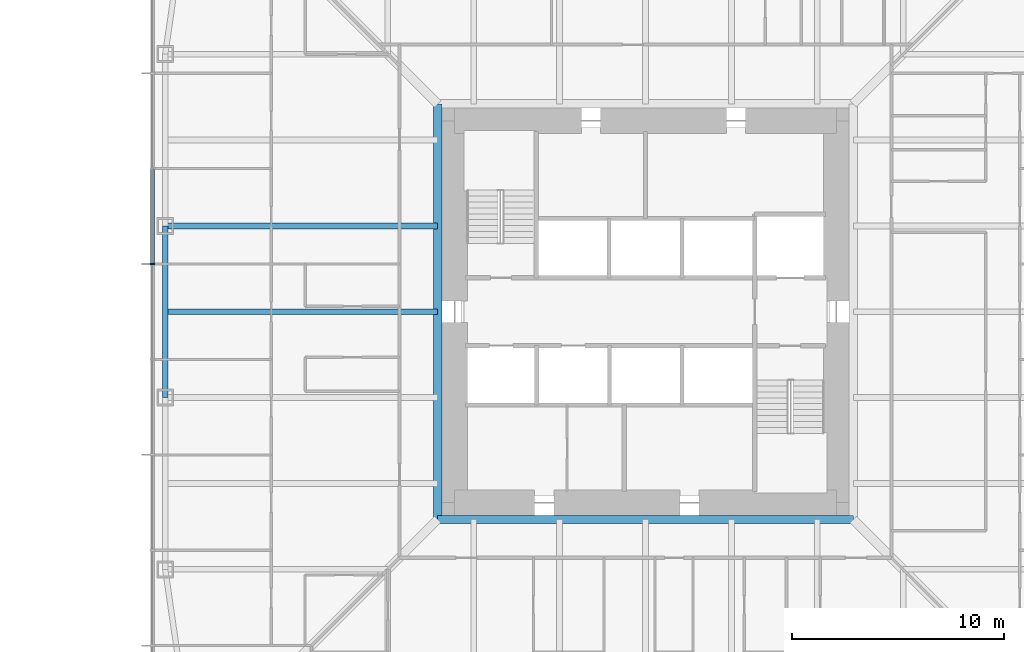
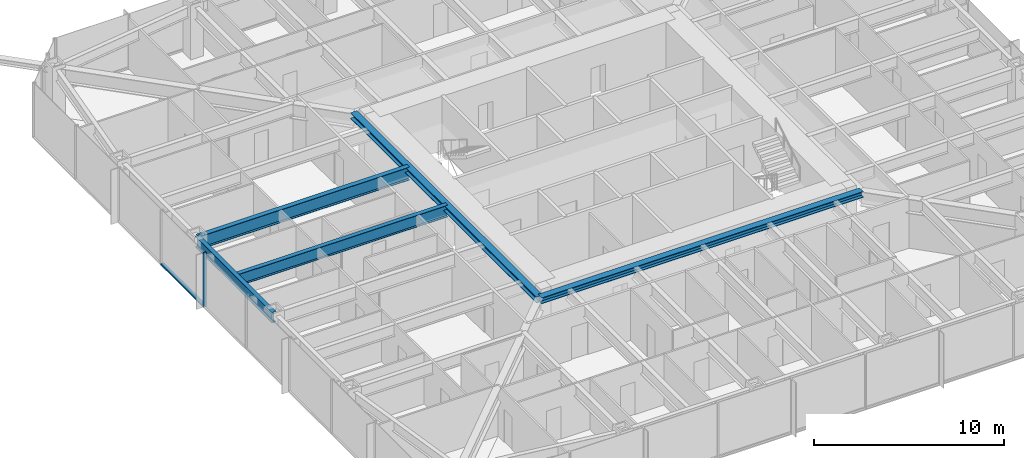
# One storey, part 4 of 26: 5 beams, 2 members, 1 element without a shape of its own.
"""IFC4 building model written with IfcOpenShell, lengths in metres."""

from ifc_helpers import new_model, si_unit, direction, frame, origin, origin_2d, place, context, subcontext, project, spatial, rectangle, i_section, extrude, material, material_profile, profile_set, type_object, element, aggregate, save


model = new_model("IFC4")

# Units and contexts
model_context = context("Model", 3, precision=1e-05, world=origin(), true_north=direction((0.0, 1.0)))
body_context = subcontext(model_context, "Body", "Model", "MODEL_VIEW")
ifc_project = project(units=[si_unit("LENGTHUNIT", "METRE"), si_unit("AREAUNIT", "SQUARE_METRE"), si_unit("VOLUMEUNIT", "CUBIC_METRE"), si_unit("PLANEANGLEUNIT", "RADIAN"), si_unit("MASSUNIT", "GRAM", prefix="KILO")], contexts=[model_context])

# Site, building, storey
site_placement = place(None, origin())
site = spatial("IfcSite", under=ifc_project, at=site_placement, CompositionType="ELEMENT")
building_placement = place(site_placement, origin())
building = spatial("IfcBuilding", under=site, at=building_placement, Name="Iwan Alto Co-Living Towers", CompositionType="ELEMENT")
storey_placement = place(building_placement, frame((0.0, 0.0, 60.5)))
storey = spatial("IfcBuildingStorey", under=building, at=storey_placement, Name="L16", CompositionType="ELEMENT", Elevation=60.5)

# Curtain wall, members
ifc_material_1 = material(Name="Bronze aluminium unitised frame", Category="aluminium")
curtain_wall_type = type_object("IfcCurtainWallType", Name="CURTAIN WALL CW-A", PredefinedType="NOTDEFINED", material=ifc_material_1)
curtain_wall_placement = place(storey_placement, origin())
curtain_wall = element("IfcCurtainWall", 1, at=curtain_wall_placement, inside=storey, type_object=curtain_wall_type, Name="T1 curtain wall W L16", PredefinedType="NOTDEFINED")
ifc_material_2 = material(Name="Aluminium 6063-T6 bronze anodised", Category="aluminium")
ifc_material_profile_1 = material_profile(ifc_material_2, rectangle(XDim=0.199951171875, YDim=0.080078125, at=origin_2d()), Name="AL 80X200")
ifc_profile_set_1 = profile_set([ifc_material_profile_1], Name="Aluminium 6063-T6 bronze anodised")
member_type_1 = type_object("IfcMemberType", Name="CW-A MULLION 80X200", PredefinedType="MULLION", material=ifc_profile_set_1)
member_1_placement = place(storey_placement, frame((-23.25, 2.25, 0.0), z_axis=(0.0, 0.0, 1.0), x_axis=(1.0, 0.0, 0.0)))
member_1 = element("IfcMember", 2, at=member_1_placement, type_object=member_type_1, Name="CW-A mullion 5", PredefinedType="MULLION", context=body_context, shape_type="SweptSolid", body=[
    extrude(rectangle(XDim=0.199951171875, YDim=0.080078125, at=origin_2d()), origin(), (0.0, 0.0, 1.0), 3.5),
])
ifc_material_3 = material(Name="Aluminium 6063-T6 bronze anodised", Category="aluminium")
ifc_material_profile_2 = material_profile(ifc_material_3, rectangle(XDim=0.199951171875, YDim=0.10009765625, at=origin_2d()), Name="AL 200X100")
ifc_profile_set_2 = profile_set([ifc_material_profile_2], Name="Aluminium 6063-T6 bronze anodised")
member_type_2 = type_object("IfcMemberType", Name="CW-A TRANSOM 200X100", PredefinedType="USERDEFINED", material=ifc_profile_set_2)
member_2_placement = place(storey_placement, frame((-23.25, 6.7099609375, 0.050048828125), z_axis=(0.0, -1.0, 0.0), x_axis=(1.0, 0.0, 0.0)))
member_2 = element("IfcMember", 3, at=member_2_placement, type_object=member_type_2, Name="CW-A transom 4.1", ObjectType="TRANSOM", PredefinedType="USERDEFINED", context=body_context, shape_type="SweptSolid", body=[
    extrude(rectangle(XDim=0.199951171875, YDim=0.10009765625, at=origin_2d()), origin(), (0.0, 0.0, 1.0), 4.419921875),
])
aggregate(curtain_wall, [member_1, member_2])

# Beams
ifc_material_4 = material(Name="Steel ASTM A992 Gr 50", Category="steel")
ifc_material_profile_3 = material_profile(ifc_material_4, i_section(OverallWidth=0.398681640625, OverallDepth=0.385986328125, WebThickness=0.02099609375, FlangeThickness=0.033203125, at=origin_2d()), Name="W14X176")
ifc_profile_set_3 = profile_set([ifc_material_profile_3], Name="Steel ASTM A992 Gr 50")
beam_type_1 = type_object("IfcBeamType", Name="T1 CORE LEDGER BEAM W14X176", PredefinedType="BEAM", material=ifc_profile_set_3)
for number, where, z_axis, x_axis, name in (
    (4, (-9.79931640625, -9.79931640625, 3.076904296875), (1.0, 0.0, 0.0), (0.0, 1.0, 0.0), "T1 core ledger beam S L17"),
    (5, (-9.79931640625, 9.79931640625, 3.076904296875), (0.0, -1.0, 0.0), (1.0, 0.0, 0.0), "T1 core ledger beam W L17"),
):
    element("IfcBeam", number, at=place(storey_placement, frame(where, z_axis=z_axis, x_axis=x_axis)), inside=storey, type_object=beam_type_1, Name=name, PredefinedType="BEAM", context=body_context, shape_type="SweptSolid", body=[
        extrude(i_section(OverallWidth=0.398681640625, OverallDepth=0.385986328125, WebThickness=0.02099609375, FlangeThickness=0.033203125, at=origin_2d()), origin(), (0.0, 0.0, 1.0), 19.5986328125),
    ])
ifc_material_5 = material(Name="Steel ASTM A992 Gr 50", Category="steel")
ifc_material_profile_4 = material_profile(ifc_material_5, i_section(OverallWidth=0.25390625, OverallDepth=0.683349609375, WebThickness=0.012451171875, FlangeThickness=0.018798828125, at=origin_2d()), Name="W27X94")
ifc_profile_set_4 = profile_set([ifc_material_profile_4], Name="Steel ASTM A992 Gr 50")
beam_type_2 = type_object("IfcBeamType", Name="T1 EDGE BEAM W27X94", PredefinedType="BEAM", material=ifc_profile_set_4)
beam_1_placement = place(storey_placement, frame((-22.64990234375, 4.050048828125, 2.928466796875), z_axis=(0.0, -1.0, 0.0), x_axis=(1.0, 0.0, 0.0)))
element("IfcBeam", 6, at=beam_1_placement, inside=storey, type_object=beam_type_2, Name="T1 edge beam W2 L17", PredefinedType="BEAM", context=body_context, shape_type="SweptSolid", body=[
    extrude(i_section(OverallWidth=0.25390625, OverallDepth=0.683349609375, WebThickness=0.012451171875, FlangeThickness=0.018798828125, at=origin_2d()), origin(), (0.0, 0.0, 1.0), 8.10009765625),
])
ifc_material_6 = material(Name="Steel ASTM A992 Gr 50", Category="steel")
ifc_material_profile_5 = material_profile(ifc_material_6, i_section(OverallWidth=0.2919921875, OverallDepth=0.8408203125, WebThickness=0.0146484375, FlangeThickness=0.021728515625, at=origin_2d()), Name="W33X130")
ifc_profile_set_5 = profile_set([ifc_material_profile_5], Name="Steel ASTM A992 Gr 50")
beam_type_3 = type_object("IfcBeamType", Name="T1 RADIAL BEAM W33X130", PredefinedType="BEAM", material=ifc_profile_set_5)
beam_2_placement = place(storey_placement, frame((-22.64990234375, 4.050048828125, 2.849609375), z_axis=(1.0, 0.0, 0.0), x_axis=(0.0, 1.0, 0.0)))
element("IfcBeam", 7, at=beam_2_placement, inside=storey, type_object=beam_type_3, Name="T1 radial beam W2 L17", PredefinedType="BEAM", context=body_context, shape_type="SweptSolid", body=[
    extrude(i_section(OverallWidth=0.2919921875, OverallDepth=0.8408203125, WebThickness=0.0146484375, FlangeThickness=0.021728515625, at=origin_2d()), origin(), (0.0, 0.0, 1.0), 12.8505859375),
])
ifc_material_7 = material(Name="Steel ASTM A992 Gr 50", Category="steel")
ifc_material_profile_6 = material_profile(ifc_material_7, i_section(OverallWidth=0.2666015625, OverallDepth=0.761962890625, WebThickness=0.014404296875, FlangeThickness=0.021484375, at=origin_2d()), Name="W30X116")
ifc_profile_set_6 = profile_set([ifc_material_profile_6], Name="Steel ASTM A992 Gr 50")
beam_type_4 = type_object("IfcBeamType", Name="T1 SECONDARY BEAM W30X116", PredefinedType="JOIST", material=ifc_profile_set_6)
beam_3_placement = place(storey_placement, frame((-22.64990234375, 0.0, 2.888916015625), z_axis=(1.0, 0.0, 0.0), x_axis=(0.0, 1.0, 0.0)))
element("IfcBeam", 8, at=beam_3_placement, inside=storey, type_object=beam_type_4, Name="T1 secondary beam W2 L17", PredefinedType="JOIST", context=body_context, shape_type="SweptSolid", body=[
    extrude(i_section(OverallWidth=0.2666015625, OverallDepth=0.761962890625, WebThickness=0.014404296875, FlangeThickness=0.021484375, at=origin_2d()), origin(), (0.0, 0.0, 1.0), 12.8505859375),
])

save(model, "model.ifc")
